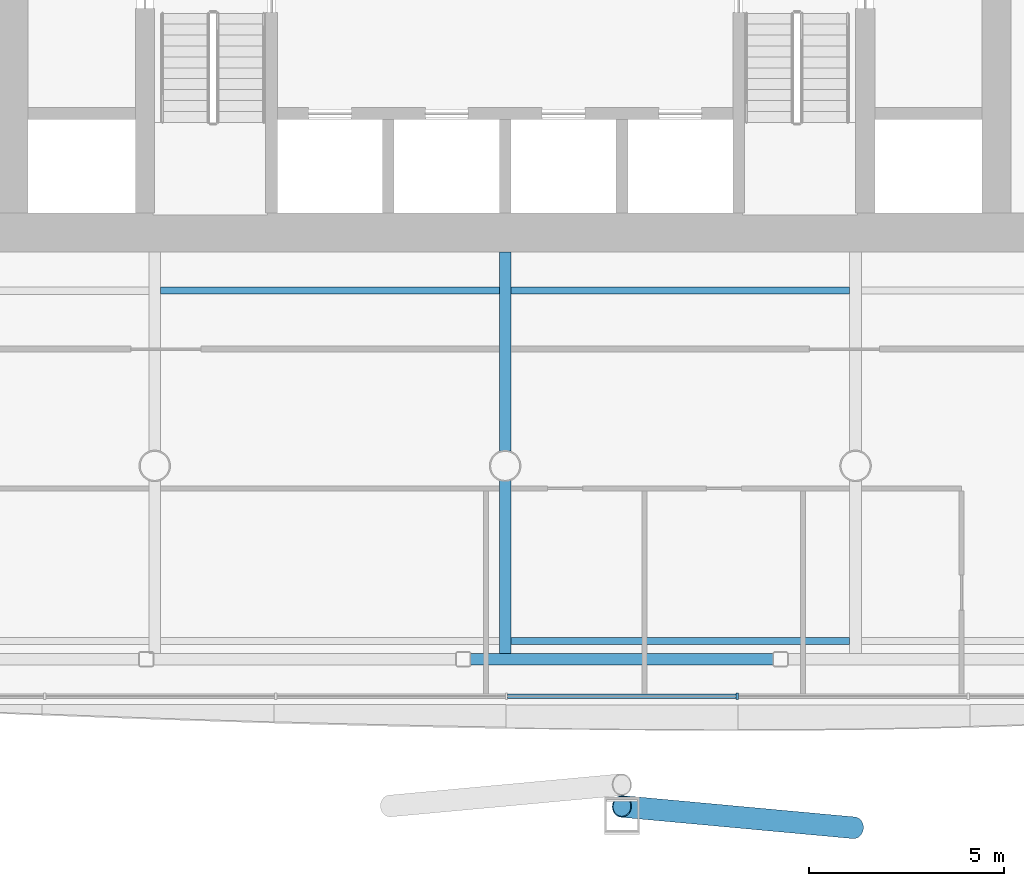
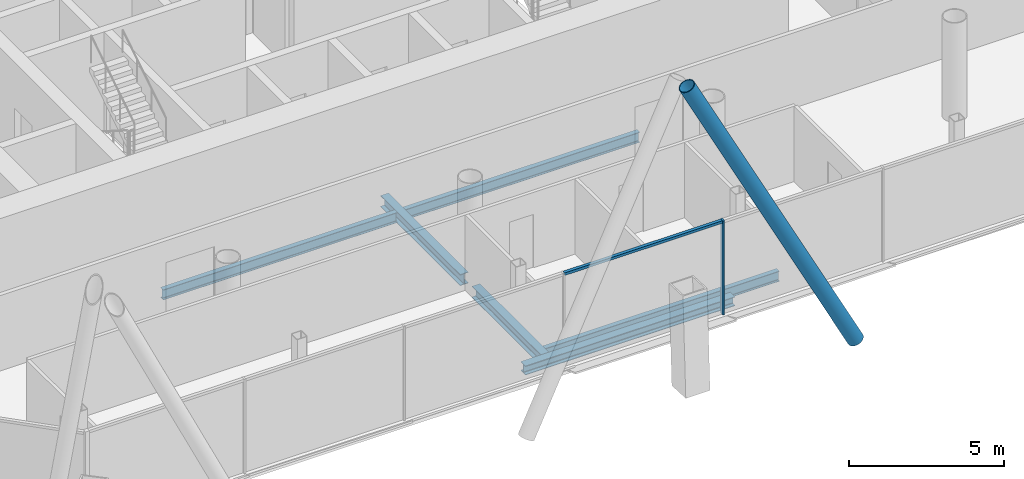
# One storey, part 4 of 22: 6 beams, 3 members, 1 element without a shape of its own.
"""IFC4 building model written with IfcOpenShell, lengths in metres."""

import ifcopenshell
import ifcopenshell.guid

model = None  # the IFC model being written
_history = None  # IfcOwnerHistory: only IFC2X3 demands one
_inside = {}  # id of a spatial element -> (the spatial element, [elements in it])
_under = {}  # id of a project, library or spatial element -> (it, [spatial elements below it])
_declared = {}  # id of a project -> (the project, [libraries it declares])
_typed = {}  # id of a type object -> (the type object, [elements of that type])
_made_of = {}  # id of a material, layer set ... -> (it, [elements and type objects made of it])


def new_model(schema):
    """Start an empty IFC model of exactly this schema.

    Asked for "IFC4X3", IfcOpenShell would pick the latest addendum, in which some entities
    have other attributes; the version numbers below select the first issue.
    IFC2X3 requires an IfcOwnerHistory on every rooted entity: one is made here for all.
    """
    global model, _history
    if schema == "IFC4X3":
        model = ifcopenshell.file(schema_version=(4, 3, 0, 0))
    else:
        model = ifcopenshell.file(schema=schema)
    _inside.clear()
    _under.clear()
    _declared.clear()
    _typed.clear()
    _made_of.clear()
    _history = None
    if model.schema == "IFC2X3":
        org = make("IfcOrganization", Name="unknown")
        user = make(
            "IfcPersonAndOrganization",
            ThePerson=make("IfcPerson", FamilyName="unknown"),
            TheOrganization=org,
        )
        app = make(
            "IfcApplication",
            ApplicationDeveloper=org,
            Version="unknown",
            ApplicationFullName="unknown",
            ApplicationIdentifier="unknown",
        )
        _history = make(
            "IfcOwnerHistory",
            OwningUser=user,
            OwningApplication=app,
            ChangeAction="ADDED",
            CreationDate=0,
        )
    return model


def make(cls, **values):
    """One entity of the class cls with the attributes given. An attribute that is None is left unset."""
    return model.create_entity(
        cls, **{name: value for name, value in values.items() if value is not None}
    )


def rooted(cls, **values):
    """An entity with a GlobalId (a new one), such as an element, a storey or a relation."""
    return make(cls, GlobalId=ifcopenshell.guid.new(), OwnerHistory=_history, **values)


def si_unit(unit_type, name, prefix=None):
    """IfcSIUnit, for example si_unit("LENGTHUNIT", "METRE", prefix="MILLI")."""
    return make("IfcSIUnit", UnitType=unit_type, Prefix=prefix, Name=name)


def assignment(units):
    """IfcUnitAssignment: the units of a project."""
    return None if units is None else make("IfcUnitAssignment", Units=units)


def point(xyz):
    """IfcCartesianPoint."""
    return None if xyz is None else make("IfcCartesianPoint", Coordinates=xyz)


def direction(xyz):
    """IfcDirection."""
    return None if xyz is None else make("IfcDirection", DirectionRatios=xyz)


def frame(location, z_axis=None, x_axis=None):
    """IfcAxis2Placement3D, a coordinate frame: its origin and axes. An axis left out is left unset."""
    return make(
        "IfcAxis2Placement3D",
        Location=point(location),
        Axis=direction(z_axis),
        RefDirection=direction(x_axis),
    )


def frame_2d(location, x_axis=None):
    """IfcAxis2Placement2D, a coordinate frame in the plane: its origin and x axis."""
    return make(
        "IfcAxis2Placement2D", Location=point(location), RefDirection=direction(x_axis)
    )


def origin():
    """The frame at (0, 0, 0) with its axes left unset."""
    return frame((0.0, 0.0, 0.0))


def origin_2d():
    """The frame at (0, 0) in the plane with its x axis left unset."""
    return frame_2d((0.0, 0.0))


def place(relative_to, where):
    """IfcLocalPlacement: puts the frame where relative to a parent placement (None: the world)."""
    return make(
        "IfcLocalPlacement", PlacementRelTo=relative_to, RelativePlacement=where
    )


def context(
    kind, dimensions, precision=None, world=None, true_north=None, identifier=None
):
    """IfcGeometricRepresentationContext, for example the 3D "Model" context."""
    return make(
        "IfcGeometricRepresentationContext",
        ContextIdentifier=identifier,
        ContextType=kind,
        CoordinateSpaceDimension=dimensions,
        Precision=precision,
        WorldCoordinateSystem=world,
        TrueNorth=true_north,
    )


def subcontext(parent, identifier, kind, view, scale=None):
    """IfcGeometricRepresentationSubContext, for example "Body" below "Model"."""
    return make(
        "IfcGeometricRepresentationSubContext",
        ContextIdentifier=identifier,
        ContextType=kind,
        ParentContext=parent,
        TargetScale=scale,
        TargetView=view,
    )


def project(units=None, contexts=None):
    """IfcProject with its units and contexts."""
    return rooted(
        "IfcProject",
        Name="project",
        RepresentationContexts=contexts,
        UnitsInContext=assignment(units),
    )


def spatial(cls, under=None, at=None, **own):
    """A site, building, storey or space (cls), placed at a placement, below another one or the project."""
    s = rooted(cls, ObjectPlacement=at, **own)
    if under is not None:
        _under.setdefault(under.id(), (under, []))[1].append(s)
    return s


def profile(cls, at=None, kind="AREA", **sizes):
    """A parametric profile (cls). Its sizes go by their IFC names, for example OverallWidth=200.0."""
    return make(cls, ProfileType=kind, Position=at, **sizes)


def rectangle(**sizes):
    """IfcRectangleProfileDef."""
    return profile("IfcRectangleProfileDef", **sizes)


def hollow_circle(**sizes):
    """IfcCircleHollowProfileDef."""
    return profile("IfcCircleHollowProfileDef", **sizes)


def i_section(**sizes):
    """IfcIShapeProfileDef."""
    return profile("IfcIShapeProfileDef", **sizes)


def extrude(swept, where, along, depth):
    """IfcExtrudedAreaSolid: the profile swept, set in the frame where, extruded along a direction by depth."""
    return make(
        "IfcExtrudedAreaSolid",
        SweptArea=swept,
        Position=where,
        ExtrudedDirection=direction(along),
        Depth=depth,
    )


def shape(context_of_items, identifier, shape_type, items):
    """IfcShapeRepresentation: the items that make up one representation, for example the "Body"."""
    return make(
        "IfcShapeRepresentation",
        ContextOfItems=context_of_items,
        RepresentationIdentifier=identifier,
        RepresentationType=shape_type,
        Items=items,
    )


def material(Name=None, Category=None):
    """IfcMaterial."""
    return make("IfcMaterial", Name=Name, Category=Category)


def material_profile(
    of_material, cross_section, Name=None, Category=None, Priority=None
):
    """IfcMaterialProfile: a cross section and its material."""
    return make(
        "IfcMaterialProfile",
        Name=Name,
        Material=of_material,
        Profile=cross_section,
        Priority=Priority,
        Category=Category,
    )


def profile_set(profiles, Name=None, composite=None):
    """IfcMaterialProfileSet."""
    return make(
        "IfcMaterialProfileSet",
        Name=Name,
        MaterialProfiles=profiles,
        CompositeProfile=composite,
    )


def made_of(thing, what):
    """Note that an element or type object is made of a material, layer set ...; save() writes the relation."""
    if what is not None:
        _made_of.setdefault(what.id(), (what, []))[1].append(thing)
    return thing


def type_object(cls, material=None, **own):
    """A type object (cls), such as IfcWallType, which elements share."""
    return made_of(rooted(cls, **own), material)


def element(
    cls,
    number,
    at=None,
    inside=None,
    cuts=None,
    type_object=None,
    material=None,
    context=None,
    identifier="Body",
    shape_type=None,
    held_by="IfcProductDefinitionShape",
    body=None,
    shapes=None,
    **own,
):
    """One element of the class cls, such as IfcWall. Its Tag is "e" and its number.

    at: its placement. inside: the storey or other place that contains it. cuts: it is an
    opening in that element (IfcRelVoidsElement). A single representation is given by context,
    identifier, shape_type and body (its items); several are given by shapes. held_by: the class
    of the entity that holds the representations. save() writes the other relations.
    """
    e = rooted(cls, Tag="e%d" % number, ObjectPlacement=at, **own)
    if body is not None:
        shapes = [shape(context, identifier, shape_type, body)]
    if shapes is not None:
        e.Representation = make(held_by, Representations=shapes)
    if inside is not None:
        _inside.setdefault(inside.id(), (inside, []))[1].append(e)
    if cuts is not None:
        rooted(
            "IfcRelVoidsElement", RelatingBuildingElement=cuts, RelatedOpeningElement=e
        )
    if type_object is not None:
        _typed.setdefault(type_object.id(), (type_object, []))[1].append(e)
    return made_of(e, material)


def aggregate(whole, parts):
    """IfcRelAggregates: a whole, such as a stair, and the parts it consists of."""
    return rooted("IfcRelAggregates", RelatingObject=whole, RelatedObjects=parts)


def save(model, path):
    """Write the relations noted so far, then the file.

    IfcRelAggregates (storeys below a building ...), IfcRelContainedInSpatialStructure (elements
    in a storey), IfcRelDefinesByType, IfcRelAssociatesMaterial and IfcRelDeclares: one each for
    every whole, place, type object, material and project.
    """
    for whole, parts in _under.values():
        aggregate(whole, parts)
    for where, things in _inside.values():
        rooted(
            "IfcRelContainedInSpatialStructure",
            RelatedElements=things,
            RelatingStructure=where,
        )
    for kind, things in _typed.values():
        rooted("IfcRelDefinesByType", RelatedObjects=things, RelatingType=kind)
    for what, things in _made_of.values():
        rooted("IfcRelAssociatesMaterial", RelatedObjects=things, RelatingMaterial=what)
    for by, libraries in _declared.values():
        rooted("IfcRelDeclares", RelatingContext=by, RelatedDefinitions=libraries)
    model.write(path)


model = new_model("IFC4")

# Units and contexts
model_context = context("Model", 3, precision=1e-05, world=origin(), true_north=direction((0.0, 1.0)))
body_context = subcontext(model_context, "Body", "Model", "MODEL_VIEW")
ifc_project = project(units=[si_unit("LENGTHUNIT", "METRE"), si_unit("AREAUNIT", "SQUARE_METRE"), si_unit("VOLUMEUNIT", "CUBIC_METRE"), si_unit("PLANEANGLEUNIT", "RADIAN"), si_unit("MASSUNIT", "GRAM", prefix="KILO")], contexts=[model_context])

# Site, building, storey
site_placement = place(None, origin())
site = spatial("IfcSite", under=ifc_project, at=site_placement, CompositionType="ELEMENT")
building_placement = place(site_placement, origin())
building = spatial("IfcBuilding", under=site, at=building_placement, Name="Tskaro Facet Tower", CompositionType="ELEMENT")
storey_placement = place(building_placement, frame((0.0, 0.0, 97.199951171875)))
storey = spatial("IfcBuildingStorey", under=building, at=storey_placement, Name="L23", CompositionType="ELEMENT", Elevation=97.199951171875)

# Member
ifc_material_1 = material(Name="Steel S355J2H", Category="steel")
ifc_material_profile_1 = material_profile(ifc_material_1, hollow_circle(Radius=0.279541015625, WallThickness=0.02490234375, at=origin_2d()), Name="CHS 559x25")
ifc_profile_set_1 = profile_set([ifc_material_profile_1], Name="Steel S355J2H")
member_type_1 = type_object("IfcMemberType", Name="CHS 559x25 brace", PredefinedType="BRACE", material=ifc_profile_set_1)
member_1_placement = place(storey_placement, frame((8.9541015625, -27.29443359375, 0.0), z_axis=(-0.453153268655, 0.041695749338, 0.890456949883), x_axis=(-0.091625418777, -0.995793544182, 0.0)))
element("IfcMember", 1, at=member_1_placement, inside=storey, type_object=member_type_1, Name="CHS 559x25 XB02B/2", PredefinedType="BRACE", context=body_context, shape_type="SweptSolid", body=[
    extrude(hollow_circle(Radius=0.279541015625, WallThickness=0.02490234375, at=origin_2d()), origin(), (0.0, 0.0, 1.0), 13.13916015625),
])

# Curtain wall, members
ifc_material_2 = material(Name="Bronze anodised aluminium 6063-T6", Category="aluminium")
curtain_wall_type = type_object("IfcCurtainWallType", Name="Bronze office curtain wall (FW1)", PredefinedType="NOTDEFINED", material=ifc_material_2)
curtain_wall_placement = place(storey_placement, origin())
curtain_wall = element("IfcCurtainWall", 2, at=curtain_wall_placement, inside=storey, type_object=curtain_wall_type, Name="FW1 south facet L23", PredefinedType="NOTDEFINED")
ifc_material_profile_2 = material_profile(ifc_material_2, rectangle(XDim=0.06005859375, YDim=0.159912109375, at=origin_2d()), Name="Mullion 60x160")
ifc_profile_set_2 = profile_set([ifc_material_profile_2], Name="Bronze anodised aluminium 6063-T6")
member_type_2 = type_object("IfcMemberType", Name="FW1 bronze mullion 60x160", PredefinedType="MULLION", material=ifc_profile_set_2)
member_2_placement = place(storey_placement, frame((5.96533203125, -23.9150390625, 0.0), z_axis=(0.0, 0.0, 1.0), x_axis=(1.0, 0.0, 0.0)))
member_2 = element("IfcMember", 3, at=member_2_placement, type_object=member_type_2, Name="FW1 south mullion 4", PredefinedType="MULLION", context=body_context, shape_type="SweptSolid", body=[
    extrude(rectangle(XDim=0.06005859375, YDim=0.159912109375, at=origin_2d()), origin(), (0.0, 0.0, 1.0), 3.699951171875),
])
ifc_material_profile_3 = material_profile(ifc_material_2, rectangle(XDim=0.1201171875, YDim=0.10009765625, at=origin_2d()), Name="Transom 120x100")
ifc_profile_set_3 = profile_set([ifc_material_profile_3], Name="Bronze anodised aluminium 6063-T6")
member_type_3 = type_object("IfcMemberType", Name="FW1 bronze transom 120x100", PredefinedType="USERDEFINED", material=ifc_profile_set_3)
member_3_placement = place(storey_placement, frame((0.064697265625, -23.9150390625, 3.650146484375), z_axis=(1.0, 0.0, 0.0), x_axis=(0.0, 1.0, 0.0)))
member_3 = element("IfcMember", 4, at=member_3_placement, type_object=member_type_3, Name="FW1 south transom 4.1", ObjectType="TRANSOM", PredefinedType="USERDEFINED", context=body_context, shape_type="SweptSolid", body=[
    extrude(rectangle(XDim=0.1201171875, YDim=0.10009765625, at=origin_2d()), origin(), (0.0, 0.0, 1.0), 5.87060546875),
])
aggregate(curtain_wall, [member_2, member_3])

# Beams
ifc_material_3 = material(Name="Steel S355J2", Category="steel")
ifc_material_profile_4 = material_profile(ifc_material_3, i_section(OverallWidth=0.300048828125, OverallDepth=0.360107421875, WebThickness=0.012451171875, FlangeThickness=0.0224609375, FilletRadius=0.027099609375, at=origin_2d()), Name="HE 360 B")
ifc_profile_set_4 = profile_set([ifc_material_profile_4], Name="Steel S355J2")
beam_type_1 = type_object("IfcBeamType", Name="HE 360 B ring beam", PredefinedType="BEAM", material=ifc_profile_set_4)
beam_1_placement = place(storey_placement, frame((-0.89306640625, -22.965087890625, -0.320068359375), z_axis=(1.0, 0.0, 0.0), x_axis=(0.0, 1.0, 0.0)))
element("IfcBeam", 5, at=beam_1_placement, inside=storey, type_object=beam_type_1, Name="HE 360 B EB3-2", PredefinedType="BEAM", context=body_context, shape_type="SweptSolid", body=[
    extrude(i_section(OverallWidth=0.300048828125, OverallDepth=0.360107421875, WebThickness=0.012451171875, FlangeThickness=0.0224609375, FilletRadius=0.027099609375, at=origin_2d()), origin(), (0.0, 0.0, 1.0), 7.7861328125),
])
ifc_material_profile_5 = material_profile(ifc_material_3, i_section(OverallWidth=0.300048828125, OverallDepth=0.43994140625, WebThickness=0.011474609375, FlangeThickness=0.02099609375, FilletRadius=0.027099609375, at=origin_2d()), Name="HE 450 A")
ifc_profile_set_5 = profile_set([ifc_material_profile_5], Name="Steel S355J2")
beam_type_2 = type_object("IfcBeamType", Name="HE 450 A girder", PredefinedType="BEAM", material=ifc_profile_set_5)
beam_2_placement = place(storey_placement, frame((0.0, -22.81494140625, -0.35986328125), z_axis=(0.0, 1.0, 0.0), x_axis=(-1.0, 0.0, 0.0)))
element("IfcBeam", 6, at=beam_2_placement, inside=storey, type_object=beam_type_2, Name="HE 450 A GB4-1-2", PredefinedType="BEAM", context=body_context, shape_type="SweptSolid", body=[
    extrude(i_section(OverallWidth=0.300048828125, OverallDepth=0.43994140625, WebThickness=0.011474609375, FlangeThickness=0.02099609375, FilletRadius=0.027099609375, at=origin_2d()), origin(), (0.0, 0.0, 1.0), 4.4384765625),
])
beam_3_placement = place(storey_placement, frame((0.0, -17.62353515625, -0.35986328125), z_axis=(0.0, 1.0, 0.0), x_axis=(-1.0, 0.0, 0.0)))
element("IfcBeam", 7, at=beam_3_placement, inside=storey, type_object=beam_type_2, Name="HE 450 A GB4-2-2", PredefinedType="BEAM", context=body_context, shape_type="SweptSolid", body=[
    extrude(i_section(OverallWidth=0.300048828125, OverallDepth=0.43994140625, WebThickness=0.011474609375, FlangeThickness=0.02099609375, FilletRadius=0.027099609375, at=origin_2d()), origin(), (0.0, 0.0, 1.0), 5.12353515625),
])
ifc_material_profile_6 = material_profile(ifc_material_3, i_section(OverallWidth=0.179931640625, OverallDepth=0.39990234375, WebThickness=0.008544921875, FlangeThickness=0.013427734375, FilletRadius=0.02099609375, at=origin_2d()), Name="IPE 400")
ifc_profile_set_6 = profile_set([ifc_material_profile_6], Name="Steel S355J2")
beam_type_3 = type_object("IfcBeamType", Name="IPE 400 secondary beam", PredefinedType="BEAM", material=ifc_profile_set_6)
for number, where, z_axis, x_axis, name in (
    (8, (0.14990234375, -22.5, -0.33984375), (1.0, 0.0, 0.0), (0.0, 1.0, 0.0), "IPE 400 SB1a-3-2"),
    (9, (-8.85009765625, -13.5, -0.33984375), (1.0, 0.0, 0.0), (0.0, 1.0, 0.0), "IPE 400 SB2a-2-2"),
    (10, (0.14990234375, -13.5, -0.33984375), (1.0, 0.0, 0.0), (0.0, 1.0, 0.0), "IPE 400 SB2a-3-2"),
):
    element("IfcBeam", number, at=place(storey_placement, frame(where, z_axis=z_axis, x_axis=x_axis)), inside=storey, type_object=beam_type_3, Name=name, PredefinedType="BEAM", context=body_context, shape_type="SweptSolid", body=[
        extrude(i_section(OverallWidth=0.179931640625, OverallDepth=0.39990234375, WebThickness=0.008544921875, FlangeThickness=0.013427734375, FilletRadius=0.02099609375, at=origin_2d()), origin(), (0.0, 0.0, 1.0), 8.7001953125),
    ])

save(model, "model.ifc")
